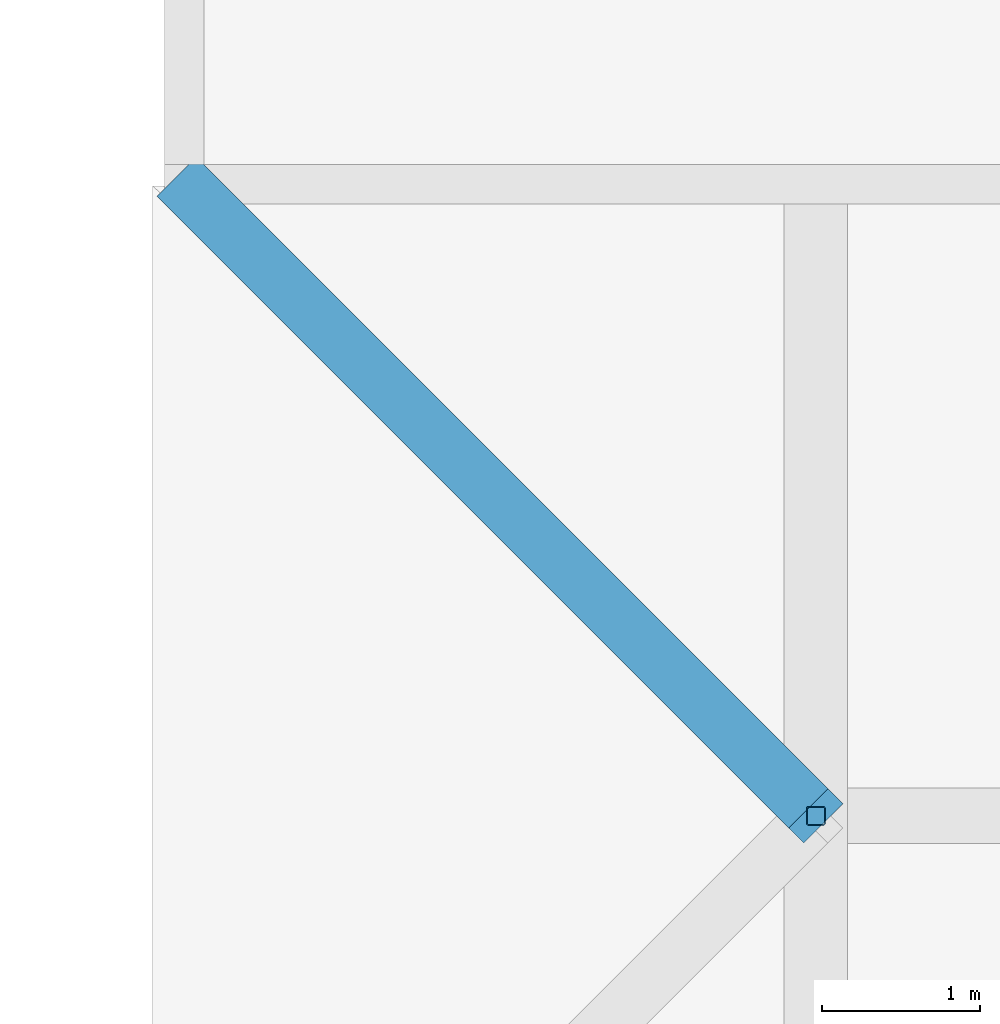
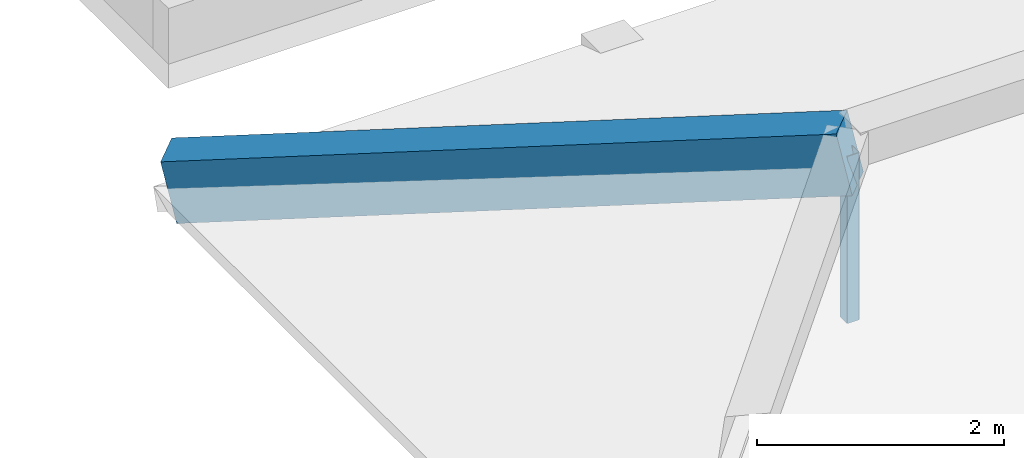
# One storey, part 8 of 56: 1 beam, 1 member.
"""IFC4 building model written with IfcOpenShell, lengths in metres."""

from ifc_helpers import new_model, si_unit, direction, frame, origin, origin_2d, place, context, subcontext, project, spatial, rectangle, hollow_rectangle, extrude, material, material_profile, profile_set, type_object, element, save


model = new_model("IFC4")

# Units and contexts
model_context = context("Model", 3, precision=1e-05, world=origin(), true_north=direction((0.0, 1.0)))
body_context = subcontext(model_context, "Body", "Model", "MODEL_VIEW")
ifc_project = project(units=[si_unit("LENGTHUNIT", "METRE"), si_unit("AREAUNIT", "SQUARE_METRE"), si_unit("VOLUMEUNIT", "CUBIC_METRE"), si_unit("PLANEANGLEUNIT", "RADIAN"), si_unit("MASSUNIT", "GRAM", prefix="KILO")], contexts=[model_context])

# Site, building, storey
site_placement = place(None, origin())
site = spatial("IfcSite", under=ifc_project, at=site_placement, CompositionType="ELEMENT")
building_placement = place(site_placement, origin())
building = spatial("IfcBuilding", under=site, at=building_placement, Name="Zacnel Wholesale Market", CompositionType="ELEMENT")
storey_placement = place(building_placement, frame((0.0, 0.0, 20.300048828125)))
storey = spatial("IfcBuildingStorey", under=building, at=storey_placement, Name="RF", CompositionType="ELEMENT", Elevation=20.300048828125)

# Beam
ifc_material_1 = material(Name="Concrete C40/50", Category="concrete")
ifc_material_profile_1 = material_profile(ifc_material_1, rectangle(XDim=0.35009765625, YDim=0.60009765625, at=origin_2d()), Name="ARCH RIB 350x600")
ifc_profile_set_1 = profile_set([ifc_material_profile_1], Name="Concrete C40/50")
beam_type = type_object("IfcBeamType", Name="BM-AR600", PredefinedType="USERDEFINED", material=ifc_profile_set_1)
beam_placement = place(storey_placement, frame((108.0, 16.0, -4.570068359375), z_axis=(0.689141918443, -0.689141918443, 0.223979535871), x_axis=(0.707106781187, 0.707106781187, 0.0)))
element("IfcBeam", 1, at=beam_placement, inside=storey, type_object=beam_type, Name="Hipped crown rib STR-ROOF-V4E-SOUTH-4", ObjectType="ARCH RIB", PredefinedType="USERDEFINED", context=body_context, shape_type="SweptSolid", body=[
    extrude(rectangle(XDim=0.35009765625, YDim=0.60009765625, at=origin_2d()), origin(), (0.0, 0.0, 1.0), 5.80419921875),
])

# Member
ifc_material_2 = material(Name="Steel S355", Category="steel")
ifc_material_profile_2 = material_profile(ifc_material_2, hollow_rectangle(XDim=0.1201171875, YDim=0.1201171875, WallThickness=0.00634765625, InnerFilletRadius=0.006103515625, OuterFilletRadius=0.011962890625, at=origin_2d()), Name="HSS 120x120x6.3")
ifc_profile_set_2 = profile_set([ifc_material_profile_2], Name="Steel S355")
member_type = type_object("IfcMemberType", Name="MEM-PST-HSS120", PredefinedType="POST", material=ifc_profile_set_2)
member_placement = place(storey_placement, frame((112.0, 12.0, -4.900146484375), z_axis=(0.0, 0.0, 1.0), x_axis=(1.0, 0.0, 0.0)))
element("IfcMember", 2, at=member_placement, inside=storey, type_object=member_type, Name="Hipped crown king-post STR-ROOF-V4E-SOUTH-1", PredefinedType="POST", context=body_context, shape_type="SweptSolid", body=[
    extrude(hollow_rectangle(XDim=0.1201171875, YDim=0.1201171875, WallThickness=0.00634765625, InnerFilletRadius=0.006103515625, OuterFilletRadius=0.011962890625, at=origin_2d()), origin(), (0.0, 0.0, 1.0), 1.650146484375),
])

save(model, "model.ifc")
